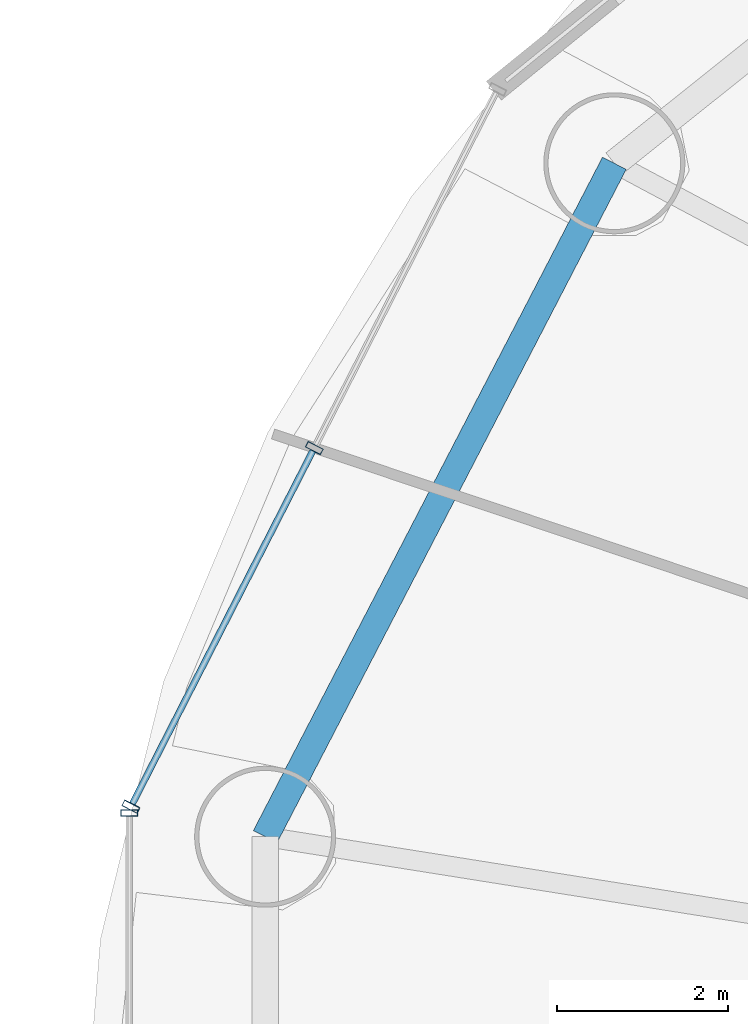
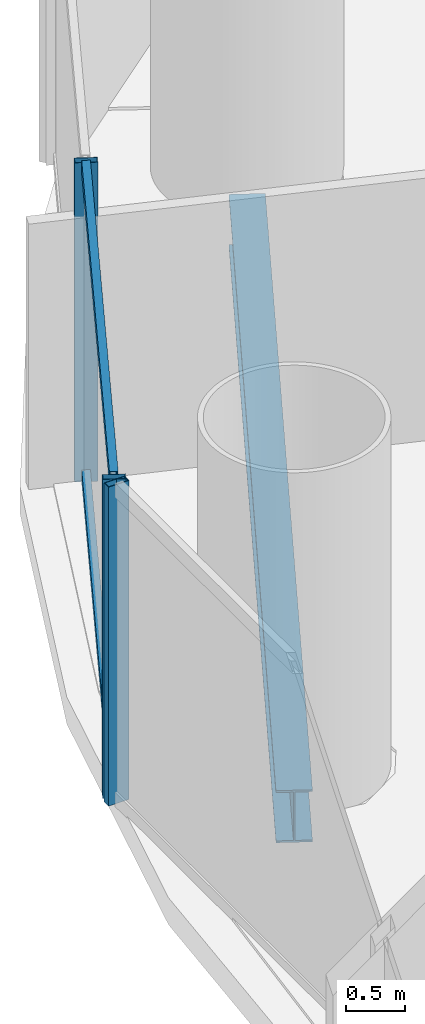
# One storey, part 9 of 30: 5 members, 1 beam, 2 elements without a shape of their own.
"""IFC4 building model written with IfcOpenShell, lengths in metres."""

from ifc_helpers import new_model, si_unit, direction, frame, origin, origin_2d, place, context, subcontext, project, spatial, hollow_rectangle, i_section, extrude, source, transform, mapped, material, material_profile, profile_set, type_object, element, aggregate, save


model = new_model("IFC4")

# Units and contexts
model_context = context("Model", 3, precision=1e-05, world=origin(), true_north=direction((-0.2419218956, 0.970295726276)))
body_context = subcontext(model_context, "Body", "Model", "MODEL_VIEW")
ifc_project = project(units=[si_unit("LENGTHUNIT", "METRE"), si_unit("AREAUNIT", "SQUARE_METRE"), si_unit("VOLUMEUNIT", "CUBIC_METRE"), si_unit("PLANEANGLEUNIT", "RADIAN"), si_unit("MASSUNIT", "GRAM", prefix="KILO")], contexts=[model_context])

# Site, building, storey
site_placement = place(None, origin())
site = spatial("IfcSite", under=ifc_project, at=site_placement, CompositionType="ELEMENT")
building_placement = place(site_placement, origin())
building = spatial("IfcBuilding", under=site, at=building_placement, Name="Cobrevalo Terracotta Tower", CompositionType="ELEMENT")
storey_placement = place(building_placement, frame((0.0, 0.0, 56.39990234375)))
storey = spatial("IfcBuildingStorey", under=building, at=storey_placement, Name="L14", CompositionType="ELEMENT", Elevation=56.39990234375)

# Beam
ifc_material_1 = material(Name="Steel S355", Category="steel")
ifc_material_profile_1 = material_profile(ifc_material_1, i_section(OverallWidth=0.31201171875, OverallDepth=0.54296875, WebThickness=0.0126953125, FlangeThickness=0.020263671875, at=origin_2d()), Name="W 530x150")
ifc_profile_set_1 = profile_set([ifc_material_profile_1], Name="Steel S355")
beam_type = type_object("IfcBeamType", Name="Structural Spandrel W 530x150 (Steel S355)", PredefinedType="SPANDREL", material=ifc_profile_set_1)
beam_placement = place(storey_placement, frame((15.25927734375, 38.939208984375, -0.551513671875), z_axis=(-0.460285838799, -0.88777077368, 0.0), x_axis=(0.88777077368, -0.460285838799, 0.0)))
element("IfcBeam", 1, at=beam_placement, inside=storey, type_object=beam_type, Name="L14 perimeter ring spandrel 07", PredefinedType="SPANDREL", context=body_context, shape_type="SweptSolid", body=[
    extrude(i_section(OverallWidth=0.31201171875, OverallDepth=0.54296875, WebThickness=0.0126953125, FlangeThickness=0.020263671875, at=origin_2d()), origin(), (0.0, 0.0, 1.0), 8.8720703125),
])

# Curtain wall, members
ifc_material_2 = material(Name="Anodized aluminium", Category="aluminium")
curtain_wall_type = type_object("IfcCurtainWallType", Name="Lower-tower unitised acoustic low-E curtain wall CW-U1", PredefinedType="NOTDEFINED", material=ifc_material_2)
curtain_wall_1_placement = place(storey_placement, origin())
curtain_wall_1 = element("IfcCurtainWall", 2, at=curtain_wall_1_placement, inside=storey, type_object=curtain_wall_type, Name="L14 curtain wall CW-L14-S07", PredefinedType="NOTDEFINED")
ifc_material_profile_2 = material_profile(ifc_material_2, hollow_rectangle(XDim=0.074951171875, YDim=0.199951171875, WallThickness=0.0048828125, at=origin_2d()), Name="CWM 75x200")
ifc_profile_set_2 = profile_set([ifc_material_profile_2], Name="Anodized aluminium")
member_type_1 = type_object("IfcMemberType", Name="Lower/mid tower unitised mullion 75x200", PredefinedType="MULLION", material=ifc_profile_set_2)
shared_shape_1 = source(origin(), body_context, "Body", "SweptSolid", [
    extrude(hollow_rectangle(XDim=0.074951171875, YDim=0.199951171875, WallThickness=0.0048828125, at=origin_2d()), origin(), (0.0, 0.0, 1.0), 3.320068359375),
])
member_1_placement = place(storey_placement, frame((11.74951171875, 35.60888671875, 0.0), z_axis=(0.0, 0.0, 1.0), x_axis=(-0.455234136597, -0.890371765543, 0.0)))
member_1 = element("IfcMember", 3, at=member_1_placement, type_object=member_type_1, Name="CW-L14-S07 vertical mullion 02", PredefinedType="MULLION", context=body_context, shape_type="MappedRepresentation", body=[
    mapped(shared_shape_1, transform((0.0, 0.0, 0.0), scale=1.0)),
])
member_2_placement = place(storey_placement, frame((9.60498046875, 31.414306640625, 0.0), z_axis=(0.0, 0.0, 1.0), x_axis=(-0.455234136597, -0.890371765543, 0.0)))
member_2 = element("IfcMember", 4, at=member_2_placement, type_object=member_type_1, Name="CW-L14-S07 vertical mullion 03", PredefinedType="MULLION", context=body_context, shape_type="MappedRepresentation", body=[
    mapped(shared_shape_1, transform((0.0, 0.0, 0.0), scale=1.0)),
])

# Curtain wall, member
curtain_wall_2_placement = place(storey_placement, origin())
curtain_wall_2 = element("IfcCurtainWall", 5, at=curtain_wall_2_placement, inside=storey, type_object=curtain_wall_type, Name="L14 curtain wall CW-L14-S08", PredefinedType="NOTDEFINED")
member_3_placement = place(storey_placement, frame((9.586669921875, 31.3388671875, 0.0), z_axis=(0.0, 0.0, 1.0), x_axis=(0.0, -1.0, 0.0)))
member_3 = element("IfcMember", 6, at=member_3_placement, type_object=member_type_1, Name="CW-L14-S08 vertical mullion 01", PredefinedType="MULLION", context=body_context, shape_type="MappedRepresentation", body=[
    mapped(shared_shape_1, transform((0.0, 0.0, 0.0), scale=1.0)),
])
aggregate(curtain_wall_2, [member_3])

# Member
ifc_material_profile_3 = material_profile(ifc_material_2, hollow_rectangle(XDim=0.074951171875, YDim=0.14990234375, WallThickness=0.00439453125, at=origin_2d()), Name="CWT 75x150")
ifc_profile_set_3 = profile_set([ifc_material_profile_3], Name="Anodized aluminium")
member_type_2 = type_object("IfcMemberType", Name="Tower unitised aluminium transom 75x150", PredefinedType="USERDEFINED", material=ifc_profile_set_3)
shared_shape_2 = source(origin(), body_context, "Body", "SweptSolid", [
    extrude(hollow_rectangle(XDim=0.074951171875, YDim=0.14990234375, WallThickness=0.00439453125, at=origin_2d()), origin(), (0.0, 0.0, 1.0), 4.631103515625),
])
member_4_placement = place(storey_placement, frame((11.731201171875, 35.573486328125, 0.050048828125), z_axis=(-0.455208584993, -0.890384829245, 0.0), x_axis=(0.890384829245, -0.455208584993, 0.0)))
member_4 = element("IfcMember", 7, at=member_4_placement, type_object=member_type_2, Name="CW-L14-S07 transom B02-T1", ObjectType="TRANSOM", PredefinedType="USERDEFINED", context=body_context, shape_type="MappedRepresentation", body=[
    mapped(shared_shape_2, transform((0.0, 0.0, 0.0), scale=1.0)),
])

member_5_placement = place(storey_placement, frame((11.731201171875, 35.573486328125, 3.27001953125), z_axis=(-0.455208584993, -0.890384829245, 0.0), x_axis=(0.890384829245, -0.455208584993, 0.0)))
member_5 = element("IfcMember", 8, at=member_5_placement, type_object=member_type_2, Name="CW-L14-S07 transom B02-T2", ObjectType="TRANSOM", PredefinedType="USERDEFINED", context=body_context, shape_type="MappedRepresentation", body=[
    mapped(shared_shape_2, transform((0.0, 0.0, 0.0), scale=1.0)),
])

aggregate(curtain_wall_1, [member_1, member_2, member_4, member_5])

save(model, "model.ifc")
